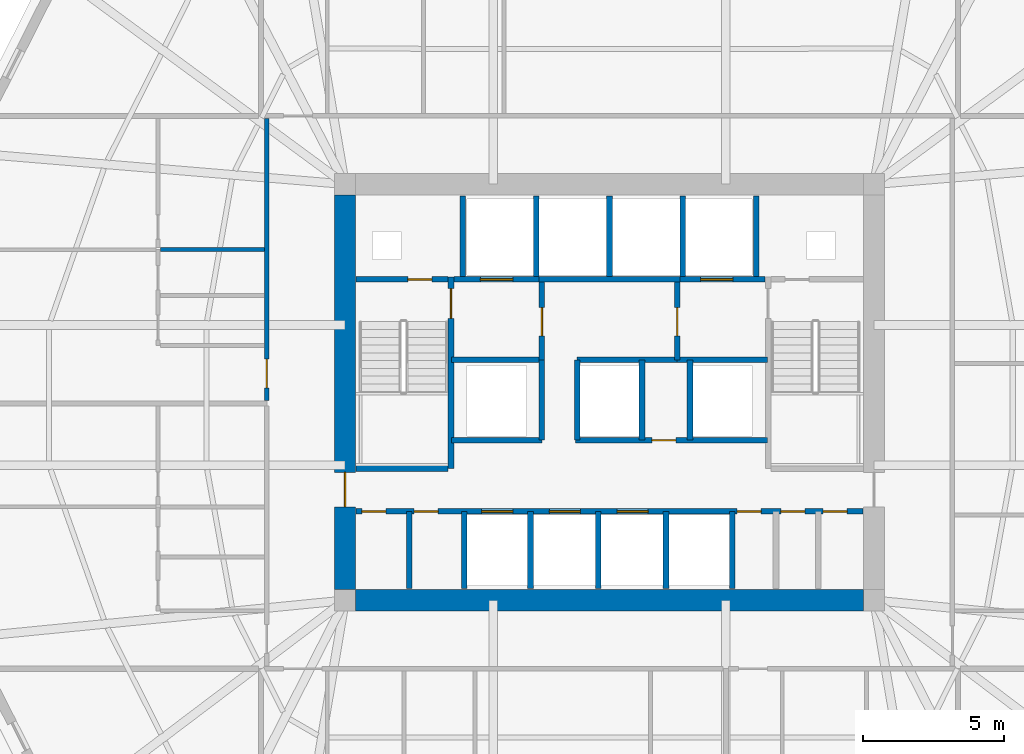
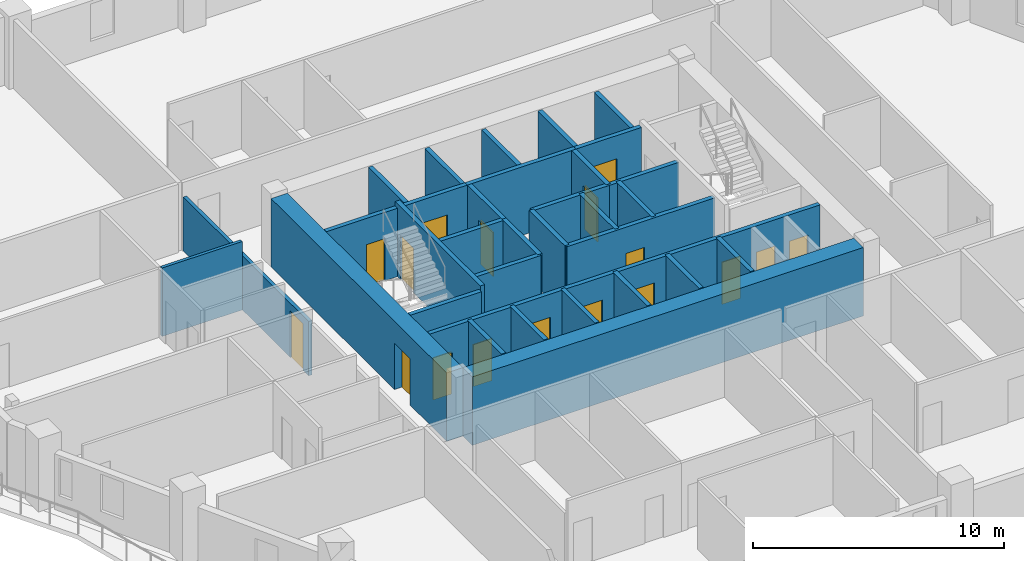
# One storey, part 5 of 11: 33 walls, 17 doors, 17 openings.
"""IFC4 building model written with IfcOpenShell, lengths in metres."""

from ifc_helpers import new_model, si_unit, direction, frame, frame_2d, origin, place, context, subcontext, project, spatial, rectangle, extrude, material, layer, layer_set, type_object, element, fill, save


model = new_model("IFC4")

# Units and contexts
model_context = context("Model", 3, precision=1e-05, world=origin(), true_north=direction((0.0, 1.0)))
body_context = subcontext(model_context, "Body", "Model", "MODEL_VIEW")
ifc_project = project(units=[si_unit("LENGTHUNIT", "METRE"), si_unit("AREAUNIT", "SQUARE_METRE"), si_unit("VOLUMEUNIT", "CUBIC_METRE"), si_unit("PLANEANGLEUNIT", "RADIAN"), si_unit("MASSUNIT", "GRAM", prefix="KILO")], contexts=[model_context])

# Site, building, storey
site_placement = place(None, origin())
site = spatial("IfcSite", under=ifc_project, at=site_placement, CompositionType="ELEMENT")
building_placement = place(site_placement, origin())
building = spatial("IfcBuilding", under=site, at=building_placement, Name="Cinnabar Lancet Tower", CompositionType="ELEMENT")
storey_placement = place(building_placement, frame((0.0, 0.0, 90.64990234375)))
storey = spatial("IfcBuildingStorey", under=building, at=storey_placement, Name="L23", CompositionType="ELEMENT", Elevation=90.64990234375)

# Wall, opening, door
ifc_material_1 = material(Name="Acoustic twin-stud gypsum partition", Category="gypsum")
ifc_layer_1 = layer(ifc_material_1, 0.159912109375)
ifc_layer_set_1 = layer_set([ifc_layer_1], Name="Acoustic twin-stud gypsum partition")
wall_type_1 = type_object("IfcWallType", Name="ARC-WL-CORR-160", PredefinedType="PARTITIONING", material=ifc_layer_set_1)
wall_1_placement = place(storey_placement, frame((20.25, 25.60302734375, 0.0), z_axis=(0.0, 0.0, 1.0), x_axis=(0.0, 1.0, 0.0)))
wall_1 = element("IfcWall", 1, at=wall_1_placement, inside=storey, type_object=wall_type_1, Name="UW-L23-W02-COR", PredefinedType="PARTITIONING", context=body_context, shape_type="SweptSolid", body=[
    extrude(rectangle(XDim=10.001953125, YDim=0.159912109375, at=frame_2d((5.0009765625, 0.0))), origin(), (0.0, 0.0, 1.0), 2.63720703125),
])
opening_1_placement = place(wall_1_placement, frame((0.449951171875, 0.0, 0.0)))
opening_1 = element("IfcOpeningElement", 2, at=opening_1_placement, cuts=wall_1, Name="Opening UD-01", PredefinedType="OPENING", context=body_context, shape_type="SweptSolid", body=[
    extrude(rectangle(XDim=1.02001953125, YDim=2.25, at=frame_2d((0.510009765625, 1.125))), frame((0.0, 0.08984375, 0.0), z_axis=(0.0, -1.0, 0.0), x_axis=(1.0, 0.0, 0.0)), (0.0, 0.0, 1.0), 0.179931640625),
])
ifc_material_2 = material(Name="Solid timber fire-rated apartment entrance door", Category="wood")
door_type_1 = type_object("IfcDoorType", Name="ARC-DR-UNIT", OperationType="NOTDEFINED", PredefinedType="DOOR", material=ifc_material_2)
door_1_placement = place(opening_1_placement, origin())
door_1 = element("IfcDoor", 3, at=door_1_placement, inside=storey, type_object=door_type_1, Name="DR-L23-W02-ENT", OperationType="SINGLE_SWING_RIGHT", OverallHeight=2.25, OverallWidth=1.02001953125, PredefinedType="DOOR", context=body_context, shape_type="SweptSolid", body=[
    extrude(rectangle(XDim=1.02001953125, YDim=2.25, at=frame_2d((0.510009765625, 1.125))), frame((0.0, 0.02490234375, 0.0), z_axis=(0.0, -1.0, 0.0), x_axis=(1.0, 0.0, 0.0)), (0.0, 0.0, 1.0), 0.050048828125),
])
fill(opening_1, door_1)

# Wall
ifc_material_3 = material(Name="Autoclaved aerated concrete blockwork", Category="masonry")
ifc_layer_2 = layer(ifc_material_3, 0.199951171875)
ifc_layer_set_2 = layer_set([ifc_layer_2], Name="Autoclaved aerated concrete blockwork")
wall_type_2 = type_object("IfcWallType", Name="ARC-WL-SHAFT-200", PredefinedType="PLUMBINGWALL", material=ifc_layer_set_2)
wall_2_placement = place(storey_placement, frame((23.405029296875, 23.199951171875, 0.0), z_axis=(0.0, 0.0, 1.0), x_axis=(1.0, 0.0, 0.0)))
element("IfcWall", 4, at=wall_2_placement, inside=storey, type_object=wall_type_2, Name="CW-ST1S-L23", PredefinedType="PLUMBINGWALL", context=body_context, shape_type="SweptSolid", body=[
    extrude(rectangle(XDim=3.27001953125, YDim=0.199951171875, at=frame_2d((1.635009765625, 0.0))), origin(), (0.0, 0.0, 1.0), 3.330078125),
])

# Wall, opening, door
wall_3_placement = place(storey_placement, frame((23.405029296875, 29.89990234375, 0.0), z_axis=(0.0, 0.0, 1.0), x_axis=(1.0, 0.0, 0.0)))
wall_3 = element("IfcWall", 5, at=wall_3_placement, inside=storey, type_object=wall_type_2, Name="CW-NSH-W-L23", PredefinedType="PLUMBINGWALL", context=body_context, shape_type="SweptSolid", body=[
    extrude(rectangle(XDim=3.27001953125, YDim=0.199951171875, at=frame_2d((1.635009765625, 0.0))), origin(), (0.0, 0.0, 1.0), 3.330078125),
])
opening_2_placement = place(wall_3_placement, frame((1.85009765625, 0.0, 0.0)))
opening_2 = element("IfcOpeningElement", 6, at=opening_2_placement, cuts=wall_3, Name="Opening PD-02", PredefinedType="OPENING", context=body_context, shape_type="SweptSolid", body=[
    extrude(rectangle(XDim=0.85009765625, YDim=2.050048828125, at=frame_2d((0.425048828125, 1.02490234375))), frame((0.0, 0.10986328125, 0.0), z_axis=(0.0, -1.0, 0.0), x_axis=(1.0, 0.0, 0.0)), (0.0, 0.0, 1.0), 0.219970703125),
])
ifc_material_4 = material(Name="Fire-rated steel riser access door", Category="steel")
door_type_2 = type_object("IfcDoorType", Name="ARC-DR-RISER", OperationType="NOTDEFINED", PredefinedType="DOOR", material=ifc_material_4)
door_2_placement = place(opening_2_placement, origin())
door_2 = element("IfcDoor", 7, at=door_2_placement, inside=storey, type_object=door_type_2, Name="L23 West Riser Access Door", OperationType="SINGLE_SWING_LEFT", OverallHeight=2.050048828125, OverallWidth=0.85009765625, PredefinedType="DOOR", context=body_context, shape_type="SweptSolid", body=[
    extrude(rectangle(XDim=0.85009765625, YDim=2.050048828125, at=frame_2d((0.425048828125, 1.02490234375))), frame((0.0, 0.02490234375, 0.0), z_axis=(0.0, -1.0, 0.0), x_axis=(1.0, 0.0, 0.0)), (0.0, 0.0, 1.0), 0.050048828125),
])
fill(opening_2, door_2)

wall_4_placement = place(storey_placement, frame((26.885009765625, 29.89990234375, 0.0), z_axis=(0.0, 0.0, 1.0), x_axis=(1.0, 0.0, 0.0)))
wall_4 = element("IfcWall", 8, at=wall_4_placement, inside=storey, type_object=wall_type_2, Name="CW-FL1-L23", PredefinedType="PLUMBINGWALL", context=body_context, shape_type="SweptSolid", body=[
    extrude(rectangle(XDim=3.014892578125, YDim=0.199951171875, at=frame_2d((1.50732421875, 0.0))), origin(), (0.0, 0.0, 1.0), 3.330078125),
])
opening_3_placement = place(wall_4_placement, frame((0.93994140625, 0.0, 0.0)))
opening_3 = element("IfcOpeningElement", 9, at=opening_3_placement, cuts=wall_4, Name="Opening LD-02", PredefinedType="OPENING", context=body_context, shape_type="SweptSolid", body=[
    extrude(rectangle(XDim=1.14990234375, YDim=2.199951171875, at=frame_2d((0.574951171875, 1.10009765625))), frame((0.0, 0.10986328125, 0.0), z_axis=(0.0, -1.0, 0.0), x_axis=(1.0, 0.0, 0.0)), (0.0, 0.0, 1.0), 0.219970703125),
])
ifc_material_5 = material(Name="Fire-rated stainless steel firefighting lift landing door", Category="steel")
door_type_3 = type_object("IfcDoorType", Name="ARC-DR-LD-FIRE", OperationType="NOTDEFINED", PredefinedType="DOOR", material=ifc_material_5)
door_3_placement = place(opening_3_placement, origin())
door_3 = element("IfcDoor", 10, at=door_3_placement, inside=storey, type_object=door_type_3, Name="L23 Firefighting Lift FL-1 Landing Door", OperationType="DOUBLE_DOOR_SLIDING", OverallHeight=2.199951171875, OverallWidth=1.14990234375, PredefinedType="DOOR", context=body_context, shape_type="SweptSolid", body=[
    extrude(rectangle(XDim=1.14990234375, YDim=2.199951171875, at=frame_2d((0.574951171875, 1.10009765625))), frame((0.0, 0.02490234375, 0.0), z_axis=(0.0, -1.0, 0.0), x_axis=(1.0, 0.0, 0.0)), (0.0, 0.0, 1.0), 0.050048828125),
])
fill(opening_3, door_3)

# Wall
wall_5_placement = place(storey_placement, frame((29.89990234375, 29.89990234375, 0.0), z_axis=(0.0, 0.0, 1.0), x_axis=(1.0, 0.0, 0.0)))
element("IfcWall", 11, at=wall_5_placement, inside=storey, type_object=wall_type_2, Name="CW-PL78-L23", PredefinedType="PLUMBINGWALL", context=body_context, shape_type="SweptSolid", body=[
    extrude(rectangle(XDim=5.0, YDim=0.199951171875, at=frame_2d((2.5, 0.0))), origin(), (0.0, 0.0, 1.0), 3.330078125),
])

# Wall, opening, door
wall_6_placement = place(storey_placement, frame((34.89990234375, 29.89990234375, 0.0), z_axis=(0.0, 0.0, 1.0), x_axis=(1.0, 0.0, 0.0)))
wall_6 = element("IfcWall", 12, at=wall_6_placement, inside=storey, type_object=wall_type_2, Name="CW-FL2-L23", PredefinedType="PLUMBINGWALL", context=body_context, shape_type="SweptSolid", body=[
    extrude(rectangle(XDim=3.01513671875, YDim=0.199951171875, at=frame_2d((1.507568359375, 0.0))), origin(), (0.0, 0.0, 1.0), 3.330078125),
])
opening_4_placement = place(wall_6_placement, frame((0.72509765625, 0.0, 0.0)))
opening_4 = element("IfcOpeningElement", 13, at=opening_4_placement, cuts=wall_6, Name="Opening LD-02", PredefinedType="OPENING", context=body_context, shape_type="SweptSolid", body=[
    extrude(rectangle(XDim=1.14990234375, YDim=2.199951171875, at=frame_2d((0.574951171875, 1.10009765625))), frame((0.0, 0.10986328125, 0.0), z_axis=(0.0, -1.0, 0.0), x_axis=(1.0, 0.0, 0.0)), (0.0, 0.0, 1.0), 0.219970703125),
])
door_4_placement = place(opening_4_placement, origin())
door_4 = element("IfcDoor", 14, at=door_4_placement, inside=storey, type_object=door_type_3, Name="L23 Firefighting Lift FL-2 Landing Door", OperationType="DOUBLE_DOOR_SLIDING", OverallHeight=2.199951171875, OverallWidth=1.14990234375, PredefinedType="DOOR", context=body_context, shape_type="SweptSolid", body=[
    extrude(rectangle(XDim=1.14990234375, YDim=2.199951171875, at=frame_2d((0.574951171875, 1.10009765625))), frame((0.0, 0.02490234375, 0.0), z_axis=(0.0, -1.0, 0.0), x_axis=(1.0, 0.0, 0.0)), (0.0, 0.0, 1.0), 0.050048828125),
])
fill(opening_4, door_4)

# Walls
for number, where, z_axis, x_axis, name in (
    (15, (27.199951171875, 30.0, 0.0), (0.0, 0.0, 1.0), (0.0, 1.0, 0.0), "CW-NSH-D1-L23"),
    (16, (29.800048828125, 30.0, 0.0), (0.0, 0.0, 1.0), (0.0, 1.0, 0.0), "CW-NSH-D2-L23"),
    (17, (32.39990234375, 30.0, 0.0), (0.0, 0.0, 1.0), (0.0, 1.0, 0.0), "CW-NSH-D3-L23"),
    (18, (35.0, 30.0, 0.0), (0.0, 0.0, 1.0), (0.0, 1.0, 0.0), "CW-NSH-D4-L23"),
    (19, (37.60009765625, 30.0, 0.0), (0.0, 0.0, 1.0), (0.0, 1.0, 0.0), "CW-NSH-D5-L23"),
):
    element("IfcWall", number, at=place(storey_placement, frame(where, z_axis=z_axis, x_axis=x_axis)), inside=storey, type_object=wall_type_2, Name=name, PredefinedType="PLUMBINGWALL", context=body_context, shape_type="SweptSolid", body=[
        extrude(rectangle(XDim=2.85009765625, YDim=0.199951171875, at=frame_2d((1.425048828125, 0.0))), origin(), (0.0, 0.0, 1.0), 3.330078125),
    ])

# Wall, opening, door
wall_7_placement = place(storey_placement, frame((30.0, 27.050048828125, 0.0), z_axis=(0.0, 0.0, 1.0), x_axis=(0.0, 1.0, 0.0)))
wall_7 = element("IfcWall", 20, at=wall_7_placement, inside=storey, type_object=wall_type_2, Name="CW-FF1E-L23", PredefinedType="PLUMBINGWALL", context=body_context, shape_type="SweptSolid", body=[
    extrude(rectangle(XDim=2.75, YDim=0.199951171875, at=frame_2d((1.375, 0.0))), origin(), (0.0, 0.0, 1.0), 3.330078125),
])
opening_5_placement = place(wall_7_placement, frame((0.85009765625, 0.0, 0.0)))
opening_5 = element("IfcOpeningElement", 21, at=opening_5_placement, cuts=wall_7, Name="Opening FD-01", PredefinedType="OPENING", context=body_context, shape_type="SweptSolid", body=[
    extrude(rectangle(XDim=1.0, YDim=2.14990234375, at=frame_2d((0.5, 1.074951171875))), frame((0.0, 0.10986328125, 0.0), z_axis=(0.0, -1.0, 0.0), x_axis=(1.0, 0.0, 0.0)), (0.0, 0.0, 1.0), 0.219970703125),
])
ifc_material_6 = material(Name="Fire-rated timber-core lobby door", Category="wood")
door_type_4 = type_object("IfcDoorType", Name="ARC-DR-FFAL", OperationType="NOTDEFINED", PredefinedType="DOOR", material=ifc_material_6)
door_5_placement = place(opening_5_placement, origin())
door_5 = element("IfcDoor", 22, at=door_5_placement, inside=storey, type_object=door_type_4, Name="L23 FFAL-1 Lobby Fire Door", OperationType="SINGLE_SWING_RIGHT", OverallHeight=2.14990234375, OverallWidth=1.0, PredefinedType="DOOR", context=body_context, shape_type="SweptSolid", body=[
    extrude(rectangle(XDim=1.0, YDim=2.14990234375, at=frame_2d((0.5, 1.074951171875))), frame((0.0, 0.02490234375, 0.0), z_axis=(0.0, -1.0, 0.0), x_axis=(1.0, 0.0, 0.0)), (0.0, 0.0, 1.0), 0.050048828125),
])
fill(opening_5, door_5)

# Wall
wall_8_placement = place(storey_placement, frame((26.800048828125, 27.050048828125, 0.0), z_axis=(0.0, 0.0, 1.0), x_axis=(1.0, 0.0, 0.0)))
element("IfcWall", 23, at=wall_8_placement, inside=storey, type_object=wall_type_2, Name="CW-FF1S-L23", PredefinedType="PLUMBINGWALL", context=body_context, shape_type="SweptSolid", body=[
    extrude(rectangle(XDim=3.199951171875, YDim=0.199951171875, at=frame_2d((1.60009765625, 0.0))), origin(), (0.0, 0.0, 1.0), 3.330078125),
])

# Wall, opening, door
wall_9_placement = place(storey_placement, frame((34.800048828125, 27.050048828125, 0.0), z_axis=(0.0, 0.0, 1.0), x_axis=(0.0, 1.0, 0.0)))
wall_9 = element("IfcWall", 24, at=wall_9_placement, inside=storey, type_object=wall_type_2, Name="CW-FF2W-L23", PredefinedType="PLUMBINGWALL", context=body_context, shape_type="SweptSolid", body=[
    extrude(rectangle(XDim=2.75, YDim=0.199951171875, at=frame_2d((1.375, 0.0))), origin(), (0.0, 0.0, 1.0), 3.330078125),
])
opening_6_placement = place(wall_9_placement, frame((0.85009765625, 0.0, 0.0)))
opening_6 = element("IfcOpeningElement", 25, at=opening_6_placement, cuts=wall_9, Name="Opening FD-01", PredefinedType="OPENING", context=body_context, shape_type="SweptSolid", body=[
    extrude(rectangle(XDim=1.0, YDim=2.14990234375, at=frame_2d((0.5, 1.074951171875))), frame((0.0, 0.10986328125, 0.0), z_axis=(0.0, -1.0, 0.0), x_axis=(1.0, 0.0, 0.0)), (0.0, 0.0, 1.0), 0.219970703125),
])
door_6_placement = place(opening_6_placement, origin())
door_6 = element("IfcDoor", 26, at=door_6_placement, inside=storey, type_object=door_type_4, Name="L23 FFAL-2 Lobby Fire Door", OperationType="SINGLE_SWING_LEFT", OverallHeight=2.14990234375, OverallWidth=1.0, PredefinedType="DOOR", context=body_context, shape_type="SweptSolid", body=[
    extrude(rectangle(XDim=1.0, YDim=2.14990234375, at=frame_2d((0.5, 1.074951171875))), frame((0.0, 0.02490234375, 0.0), z_axis=(0.0, -1.0, 0.0), x_axis=(1.0, 0.0, 0.0)), (0.0, 0.0, 1.0), 0.050048828125),
])
fill(opening_6, door_6)

# Walls
for number, where, z_axis, x_axis, name in (
    (27, (34.800048828125, 27.050048828125, 0.0), (0.0, 0.0, 1.0), (1.0, 0.0, 0.0), "CW-FF2S-L23"),
    (28, (26.800048828125, 24.199951171875, 0.0), (0.0, 0.0, 1.0), (1.0, 0.0, 0.0), "CW-PL5S-L23"),
):
    element("IfcWall", number, at=place(storey_placement, frame(where, z_axis=z_axis, x_axis=x_axis)), inside=storey, type_object=wall_type_2, Name=name, PredefinedType="PLUMBINGWALL", context=body_context, shape_type="SweptSolid", body=[
        extrude(rectangle(XDim=3.199951171875, YDim=0.199951171875, at=frame_2d((1.60009765625, 0.0))), origin(), (0.0, 0.0, 1.0), 3.330078125),
    ])
wall_10_placement = place(storey_placement, frame((30.0, 24.199951171875, 0.0), z_axis=(0.0, 0.0, 1.0), x_axis=(0.0, 1.0, 0.0)))
element("IfcWall", 29, at=wall_10_placement, inside=storey, type_object=wall_type_2, Name="CW-PL5E-L23", PredefinedType="PLUMBINGWALL", context=body_context, shape_type="SweptSolid", body=[
    extrude(rectangle(XDim=2.85009765625, YDim=0.199951171875, at=frame_2d((1.425048828125, 0.0))), origin(), (0.0, 0.0, 1.0), 3.330078125),
])

# Wall, opening, door
wall_11_placement = place(storey_placement, frame((31.199951171875, 24.199951171875, 0.0), z_axis=(0.0, 0.0, 1.0), x_axis=(1.0, 0.0, 0.0)))
wall_11 = element("IfcWall", 30, at=wall_11_placement, inside=storey, type_object=wall_type_2, Name="CW-PL96S-L23", PredefinedType="PLUMBINGWALL", context=body_context, shape_type="SweptSolid", body=[
    extrude(rectangle(XDim=6.800048828125, YDim=0.199951171875, at=frame_2d((3.39990234375, 0.0))), origin(), (0.0, 0.0, 1.0), 3.330078125),
])
opening_7_placement = place(wall_11_placement, frame((2.699951171875, 0.0, 0.0)))
opening_7 = element("IfcOpeningElement", 31, at=opening_7_placement, cuts=wall_11, Name="Opening PD-02", PredefinedType="OPENING", context=body_context, shape_type="SweptSolid", body=[
    extrude(rectangle(XDim=0.85009765625, YDim=2.050048828125, at=frame_2d((0.425048828125, 1.02490234375))), frame((0.0, 0.10986328125, 0.0), z_axis=(0.0, -1.0, 0.0), x_axis=(1.0, 0.0, 0.0)), (0.0, 0.0, 1.0), 0.219970703125),
])
door_7_placement = place(opening_7_placement, origin())
door_7 = element("IfcDoor", 32, at=door_7_placement, inside=storey, type_object=door_type_2, Name="L23 BMS Closet Door", OperationType="SINGLE_SWING_LEFT", OverallHeight=2.050048828125, OverallWidth=0.85009765625, PredefinedType="DOOR", context=body_context, shape_type="SweptSolid", body=[
    extrude(rectangle(XDim=0.85009765625, YDim=2.050048828125, at=frame_2d((0.425048828125, 1.02490234375))), frame((0.0, 0.02490234375, 0.0), z_axis=(0.0, -1.0, 0.0), x_axis=(1.0, 0.0, 0.0)), (0.0, 0.0, 1.0), 0.050048828125),
])
fill(opening_7, door_7)

# Walls
for number, where, z_axis, x_axis, name in (
    (33, (31.25, 24.199951171875, 0.0), (0.0, 0.0, 1.0), (0.0, 1.0, 0.0), "CW-PL9W-L23"),
    (34, (33.550048828125, 24.199951171875, 0.0), (0.0, 0.0, 1.0), (0.0, 1.0, 0.0), "CW-PL9E-L23"),
    (35, (35.25, 24.199951171875, 0.0), (0.0, 0.0, 1.0), (0.0, 1.0, 0.0), "CW-PL6W-L23"),
):
    element("IfcWall", number, at=place(storey_placement, frame(where, z_axis=z_axis, x_axis=x_axis)), inside=storey, type_object=wall_type_2, Name=name, PredefinedType="PLUMBINGWALL", context=body_context, shape_type="SweptSolid", body=[
        extrude(rectangle(XDim=2.85009765625, YDim=0.199951171875, at=frame_2d((1.425048828125, 0.0))), origin(), (0.0, 0.0, 1.0), 3.330078125),
    ])
wall_12_placement = place(storey_placement, frame((31.25, 27.050048828125, 0.0), z_axis=(0.0, 0.0, 1.0), x_axis=(1.0, 0.0, 0.0)))
element("IfcWall", 36, at=wall_12_placement, inside=storey, type_object=wall_type_2, Name="CW-PL96N-L23", PredefinedType="PLUMBINGWALL", context=body_context, shape_type="SweptSolid", body=[
    extrude(rectangle(XDim=3.550048828125, YDim=0.199951171875, at=frame_2d((1.77490234375, 0.0))), origin(), (0.0, 0.0, 1.0), 3.330078125),
])

# Wall, openings, doors
wall_13_placement = place(storey_placement, frame((23.419921875, 21.679931640625, 0.0), z_axis=(0.0, 0.0, 1.0), x_axis=(1.0, 0.0, 0.0)))
wall_13 = element("IfcWall", 37, at=wall_13_placement, inside=storey, type_object=wall_type_2, Name="CW-SBANDN-L23", PredefinedType="PLUMBINGWALL", context=body_context, shape_type="SweptSolid", body=[
    extrude(rectangle(XDim=17.9599609375, YDim=0.199951171875, at=frame_2d((8.97998046875, 0.0))), origin(), (0.0, 0.0, 1.0), 3.330078125),
])
opening_8_placement = place(wall_13_placement, frame((4.449951171875, 0.0, 0.0)))
opening_8 = element("IfcOpeningElement", 38, at=opening_8_placement, cuts=wall_13, Name="Opening LD-01", PredefinedType="OPENING", context=body_context, shape_type="SweptSolid", body=[
    extrude(rectangle(XDim=1.10009765625, YDim=2.199951171875, at=frame_2d((0.550048828125, 1.10009765625))), frame((0.0, 0.10986328125, 0.0), z_axis=(0.0, -1.0, 0.0), x_axis=(1.0, 0.0, 0.0)), (0.0, 0.0, 1.0), 0.219970703125),
])
opening_9_placement = place(wall_13_placement, frame((6.85009765625, 0.0, 0.0)))
opening_9 = element("IfcOpeningElement", 39, at=opening_9_placement, cuts=wall_13, Name="Opening LD-01", PredefinedType="OPENING", context=body_context, shape_type="SweptSolid", body=[
    extrude(rectangle(XDim=1.10009765625, YDim=2.199951171875, at=frame_2d((0.550048828125, 1.10009765625))), frame((0.0, 0.10986328125, 0.0), z_axis=(0.0, -1.0, 0.0), x_axis=(1.0, 0.0, 0.0)), (0.0, 0.0, 1.0), 0.219970703125),
])
opening_10_placement = place(wall_13_placement, frame((9.25, 0.0, 0.0)))
opening_10 = element("IfcOpeningElement", 40, at=opening_10_placement, cuts=wall_13, Name="Opening LD-01", PredefinedType="OPENING", context=body_context, shape_type="SweptSolid", body=[
    extrude(rectangle(XDim=1.10009765625, YDim=2.199951171875, at=frame_2d((0.550048828125, 1.10009765625))), frame((0.0, 0.10986328125, 0.0), z_axis=(0.0, -1.0, 0.0), x_axis=(1.0, 0.0, 0.0)), (0.0, 0.0, 1.0), 0.219970703125),
])
opening_11_placement = place(wall_13_placement, frame((0.199951171875, 0.0, 0.0)))
opening_11 = element("IfcOpeningElement", 41, at=opening_11_placement, cuts=wall_13, Name="Opening PD-02", PredefinedType="OPENING", context=body_context, shape_type="SweptSolid", body=[
    extrude(rectangle(XDim=0.85009765625, YDim=2.050048828125, at=frame_2d((0.425048828125, 1.02490234375))), frame((0.0, 0.10986328125, 0.0), z_axis=(0.0, -1.0, 0.0), x_axis=(1.0, 0.0, 0.0)), (0.0, 0.0, 1.0), 0.219970703125),
])
opening_12_placement = place(wall_13_placement, frame((2.050048828125, 0.0, 0.0)))
opening_12 = element("IfcOpeningElement", 42, at=opening_12_placement, cuts=wall_13, Name="Opening PD-02", PredefinedType="OPENING", context=body_context, shape_type="SweptSolid", body=[
    extrude(rectangle(XDim=0.85009765625, YDim=2.050048828125, at=frame_2d((0.425048828125, 1.02490234375))), frame((0.0, 0.10986328125, 0.0), z_axis=(0.0, -1.0, 0.0), x_axis=(1.0, 0.0, 0.0)), (0.0, 0.0, 1.0), 0.219970703125),
])
opening_13_placement = place(wall_13_placement, frame((13.5, 0.0, 0.0)))
opening_13 = element("IfcOpeningElement", 43, at=opening_13_placement, cuts=wall_13, Name="Opening PD-02", PredefinedType="OPENING", context=body_context, shape_type="SweptSolid", body=[
    extrude(rectangle(XDim=0.85009765625, YDim=2.050048828125, at=frame_2d((0.425048828125, 1.02490234375))), frame((0.0, 0.10986328125, 0.0), z_axis=(0.0, -1.0, 0.0), x_axis=(1.0, 0.0, 0.0)), (0.0, 0.0, 1.0), 0.219970703125),
])
opening_14_placement = place(wall_13_placement, frame((15.050048828125, 0.0, 0.0)))
opening_14 = element("IfcOpeningElement", 44, at=opening_14_placement, cuts=wall_13, Name="Opening PD-02", PredefinedType="OPENING", context=body_context, shape_type="SweptSolid", body=[
    extrude(rectangle(XDim=0.85009765625, YDim=2.050048828125, at=frame_2d((0.425048828125, 1.02490234375))), frame((0.0, 0.10986328125, 0.0), z_axis=(0.0, -1.0, 0.0), x_axis=(1.0, 0.0, 0.0)), (0.0, 0.0, 1.0), 0.219970703125),
])
opening_15_placement = place(wall_13_placement, frame((16.550048828125, 0.0, 0.0)))
opening_15 = element("IfcOpeningElement", 45, at=opening_15_placement, cuts=wall_13, Name="Opening PD-02", PredefinedType="OPENING", context=body_context, shape_type="SweptSolid", body=[
    extrude(rectangle(XDim=0.85009765625, YDim=2.050048828125, at=frame_2d((0.425048828125, 1.02490234375))), frame((0.0, 0.10986328125, 0.0), z_axis=(0.0, -1.0, 0.0), x_axis=(1.0, 0.0, 0.0)), (0.0, 0.0, 1.0), 0.219970703125),
])
ifc_material_7 = material(Name="Brushed stainless steel sliding lift door", Category="steel")
door_type_5 = type_object("IfcDoorType", Name="ARC-DR-LD-PASS", OperationType="NOTDEFINED", PredefinedType="DOOR", material=ifc_material_7)
door_8_placement = place(opening_8_placement, origin())
door_8 = element("IfcDoor", 46, at=door_8_placement, inside=storey, type_object=door_type_5, Name="L23 Lift PL-1 Landing Door", OperationType="DOUBLE_DOOR_SLIDING", OverallHeight=2.199951171875, OverallWidth=1.10009765625, PredefinedType="DOOR", context=body_context, shape_type="SweptSolid", body=[
    extrude(rectangle(XDim=1.10009765625, YDim=2.199951171875, at=frame_2d((0.550048828125, 1.10009765625))), frame((0.0, 0.02490234375, 0.0), z_axis=(0.0, -1.0, 0.0), x_axis=(1.0, 0.0, 0.0)), (0.0, 0.0, 1.0), 0.050048828125),
])
fill(opening_8, door_8)
door_9_placement = place(opening_9_placement, origin())
door_9 = element("IfcDoor", 47, at=door_9_placement, inside=storey, type_object=door_type_5, Name="L23 Lift PL-2 Landing Door", OperationType="DOUBLE_DOOR_SLIDING", OverallHeight=2.199951171875, OverallWidth=1.10009765625, PredefinedType="DOOR", context=body_context, shape_type="SweptSolid", body=[
    extrude(rectangle(XDim=1.10009765625, YDim=2.199951171875, at=frame_2d((0.550048828125, 1.10009765625))), frame((0.0, 0.02490234375, 0.0), z_axis=(0.0, -1.0, 0.0), x_axis=(1.0, 0.0, 0.0)), (0.0, 0.0, 1.0), 0.050048828125),
])
fill(opening_9, door_9)
door_10_placement = place(opening_10_placement, origin())
door_10 = element("IfcDoor", 48, at=door_10_placement, inside=storey, type_object=door_type_5, Name="L23 Lift PL-3 Landing Door", OperationType="DOUBLE_DOOR_SLIDING", OverallHeight=2.199951171875, OverallWidth=1.10009765625, PredefinedType="DOOR", context=body_context, shape_type="SweptSolid", body=[
    extrude(rectangle(XDim=1.10009765625, YDim=2.199951171875, at=frame_2d((0.550048828125, 1.10009765625))), frame((0.0, 0.02490234375, 0.0), z_axis=(0.0, -1.0, 0.0), x_axis=(1.0, 0.0, 0.0)), (0.0, 0.0, 1.0), 0.050048828125),
])
fill(opening_10, door_10)
door_11_placement = place(opening_11_placement, origin())
door_11 = element("IfcDoor", 49, at=door_11_placement, inside=storey, type_object=door_type_2, Name="DR-L23-SC2-1", OperationType="SINGLE_SWING_LEFT", OverallHeight=2.050048828125, OverallWidth=0.85009765625, PredefinedType="DOOR", context=body_context, shape_type="SweptSolid", body=[
    extrude(rectangle(XDim=0.85009765625, YDim=2.050048828125, at=frame_2d((0.425048828125, 1.02490234375))), frame((0.0, 0.02490234375, 0.0), z_axis=(0.0, -1.0, 0.0), x_axis=(1.0, 0.0, 0.0)), (0.0, 0.0, 1.0), 0.050048828125),
])
fill(opening_11, door_11)
door_12_placement = place(opening_12_placement, origin())
door_12 = element("IfcDoor", 50, at=door_12_placement, inside=storey, type_object=door_type_2, Name="DR-L23-SC2-2", OperationType="SINGLE_SWING_RIGHT", OverallHeight=2.050048828125, OverallWidth=0.85009765625, PredefinedType="DOOR", context=body_context, shape_type="SweptSolid", body=[
    extrude(rectangle(XDim=0.85009765625, YDim=2.050048828125, at=frame_2d((0.425048828125, 1.02490234375))), frame((0.0, 0.02490234375, 0.0), z_axis=(0.0, -1.0, 0.0), x_axis=(1.0, 0.0, 0.0)), (0.0, 0.0, 1.0), 0.050048828125),
])
fill(opening_12, door_12)
door_13_placement = place(opening_13_placement, origin())
door_13 = element("IfcDoor", 51, at=door_13_placement, inside=storey, type_object=door_type_2, Name="DR-L23-SC2-3", OperationType="SINGLE_SWING_LEFT", OverallHeight=2.050048828125, OverallWidth=0.85009765625, PredefinedType="DOOR", context=body_context, shape_type="SweptSolid", body=[
    extrude(rectangle(XDim=0.85009765625, YDim=2.050048828125, at=frame_2d((0.425048828125, 1.02490234375))), frame((0.0, 0.02490234375, 0.0), z_axis=(0.0, -1.0, 0.0), x_axis=(1.0, 0.0, 0.0)), (0.0, 0.0, 1.0), 0.050048828125),
])
fill(opening_13, door_13)
door_14_placement = place(opening_14_placement, origin())
door_14 = element("IfcDoor", 52, at=door_14_placement, inside=storey, type_object=door_type_2, Name="DR-L23-SC2-4", OperationType="SINGLE_SWING_RIGHT", OverallHeight=2.050048828125, OverallWidth=0.85009765625, PredefinedType="DOOR", context=body_context, shape_type="SweptSolid", body=[
    extrude(rectangle(XDim=0.85009765625, YDim=2.050048828125, at=frame_2d((0.425048828125, 1.02490234375))), frame((0.0, 0.02490234375, 0.0), z_axis=(0.0, -1.0, 0.0), x_axis=(1.0, 0.0, 0.0)), (0.0, 0.0, 1.0), 0.050048828125),
])
fill(opening_14, door_14)
door_15_placement = place(opening_15_placement, origin())
door_15 = element("IfcDoor", 53, at=door_15_placement, inside=storey, type_object=door_type_2, Name="DR-L23-SC2-5", OperationType="SINGLE_SWING_LEFT", OverallHeight=2.050048828125, OverallWidth=0.85009765625, PredefinedType="DOOR", context=body_context, shape_type="SweptSolid", body=[
    extrude(rectangle(XDim=0.85009765625, YDim=2.050048828125, at=frame_2d((0.425048828125, 1.02490234375))), frame((0.0, 0.02490234375, 0.0), z_axis=(0.0, -1.0, 0.0), x_axis=(1.0, 0.0, 0.0)), (0.0, 0.0, 1.0), 0.050048828125),
])
fill(opening_15, door_15)

# Walls
for number, where, z_axis, x_axis, name in (
    (54, (27.25, 18.949951171875, 0.0), (0.0, 0.0, 1.0), (0.0, 1.0, 0.0), "CW-SB-2725-L23"),
    (55, (29.60009765625, 18.949951171875, 0.0), (0.0, 0.0, 1.0), (0.0, 1.0, 0.0), "CW-SB-2960-L23"),
    (56, (32.0, 18.949951171875, 0.0), (0.0, 0.0, 1.0), (0.0, 1.0, 0.0), "CW-SB-3200-L23"),
    (57, (34.39990234375, 18.949951171875, 0.0), (0.0, 0.0, 1.0), (0.0, 1.0, 0.0), "CW-SB-3440-L23"),
    (58, (36.75, 18.949951171875, 0.0), (0.0, 0.0, 1.0), (0.0, 1.0, 0.0), "CW-SB-3675-L23"),
    (59, (25.300048828125, 18.949951171875, 0.0), (0.0, 0.0, 1.0), (0.0, 1.0, 0.0), "CW-SBC2-253-L23"),
):
    element("IfcWall", number, at=place(storey_placement, frame(where, z_axis=z_axis, x_axis=x_axis)), inside=storey, type_object=wall_type_2, Name=name, PredefinedType="PLUMBINGWALL", context=body_context, shape_type="SweptSolid", body=[
        extrude(rectangle(XDim=2.72998046875, YDim=0.199951171875, at=frame_2d((1.364990234375, 0.0))), origin(), (0.0, 0.0, 1.0), 3.330078125),
    ])
ifc_material_8 = material(Name="Moisture-resistant cement-board plumbing wall", Category="masonry")
ifc_layer_3 = layer(ifc_material_8, 0.139892578125)
ifc_layer_set_3 = layer_set([ifc_layer_3], Name="Moisture-resistant cement-board plumbing wall")
wall_type_3 = type_object("IfcWallType", Name="ARC-WL-WET-140", PredefinedType="PLUMBINGWALL", material=ifc_layer_set_3)
wall_14_placement = place(storey_placement, frame((16.485107421875, 30.9580078125, 0.0), z_axis=(0.0, 0.0, 1.0), x_axis=(1.0, 0.0, 0.0)))
element("IfcWall", 60, at=wall_14_placement, inside=storey, type_object=wall_type_3, Name="UW-L23-W02-ENSN", PredefinedType="PLUMBINGWALL", context=body_context, shape_type="SweptSolid", body=[
    extrude(rectangle(XDim=3.679931640625, YDim=0.139892578125, at=frame_2d((1.83984375, 0.0))), origin(), (0.0, 0.0, 1.0), 3.330078125),
])
ifc_material_9 = material(Name="Concrete C70/85", Category="concrete")
ifc_layer_4 = layer(ifc_material_9, 0.75)
ifc_layer_set_4 = layer_set([ifc_layer_4], Name="Concrete C70/85")
wall_type_4 = type_object("IfcWallType", Name="STR-WL-CORE-750", PredefinedType="SHEAR", material=ifc_layer_set_4)
wall_15_placement = place(storey_placement, frame((23.39990234375, 18.52490234375, 0.0), z_axis=(0.0, 0.0, 1.0), x_axis=(1.0, 0.0, 0.0)))
element("IfcWall", 61, at=wall_15_placement, inside=storey, type_object=wall_type_4, Name="L23 Core Shear Wall S", PredefinedType="SHEAR", context=body_context, shape_type="SweptSolid", body=[
    extrude(rectangle(XDim=18.0, YDim=0.75, at=frame_2d((9.0, 0.0))), origin(), (0.0, 0.0, 1.0), 3.330078125),
])

# Wall, opening, door
wall_16_placement = place(storey_placement, frame((23.02490234375, 18.89990234375, 0.0), z_axis=(0.0, 0.0, 1.0), x_axis=(0.0, 1.0, 0.0)))
wall_16 = element("IfcWall", 62, at=wall_16_placement, inside=storey, type_object=wall_type_4, Name="L23 Core Shear Wall W", PredefinedType="SHEAR", context=body_context, shape_type="SweptSolid", body=[
    extrude(rectangle(XDim=14.0, YDim=0.75, at=frame_2d((7.0, 0.0))), origin(), (0.0, 0.0, 1.0), 3.330078125),
])
opening_16_placement = place(wall_16_placement, frame((2.93994140625, 0.0, 0.0)))
opening_16 = element("IfcOpeningElement", 63, at=opening_16_placement, cuts=wall_16, Name="Opening FD-02", PredefinedType="OPENING", context=body_context, shape_type="SweptSolid", body=[
    extrude(rectangle(XDim=1.219970703125, YDim=2.25, at=frame_2d((0.60986328125, 1.125))), frame((0.0, 0.385009765625, 0.0), z_axis=(0.0, -1.0, 0.0), x_axis=(1.0, 0.0, 0.0)), (0.0, 0.0, 1.0), 0.77001953125),
])
ifc_material_10 = material(Name="Fire-rated double-vision core portal door", Category="wood")
door_type_6 = type_object("IfcDoorType", Name="ARC-DR-CPORT", OperationType="NOTDEFINED", PredefinedType="DOOR", material=ifc_material_10)
door_16_placement = place(opening_16_placement, origin())
door_16 = element("IfcDoor", 64, at=door_16_placement, inside=storey, type_object=door_type_6, Name="L23 West Core Lobby Fire Door", OperationType="SINGLE_SWING_RIGHT", OverallHeight=2.25, OverallWidth=1.219970703125, PredefinedType="DOOR", context=body_context, shape_type="SweptSolid", body=[
    extrude(rectangle(XDim=1.219970703125, YDim=2.25, at=frame_2d((0.60986328125, 1.125))), frame((0.0, 0.02490234375, 0.0), z_axis=(0.0, -1.0, 0.0), x_axis=(1.0, 0.0, 0.0)), (0.0, 0.0, 1.0), 0.050048828125),
])
fill(opening_16, door_16)

ifc_material_11 = material(Name="Concrete C50/60", Category="concrete")
ifc_layer_5 = layer(ifc_material_11, 0.199951171875)
ifc_layer_set_5 = layer_set([ifc_layer_5], Name="Concrete C50/60")
wall_type_5 = type_object("IfcWallType", Name="STR-WL-STAIR-200", PredefinedType="SHEAR", material=ifc_layer_set_5)
wall_17_placement = place(storey_placement, frame((26.780029296875, 23.199951171875, 0.0), z_axis=(0.0, 0.0, 1.0), x_axis=(0.0, 1.0, 0.0)))
wall_17 = element("IfcWall", 65, at=wall_17_placement, inside=storey, type_object=wall_type_5, Name="L23 Stair ST-1 Structural Enclosure Wall", PredefinedType="SHEAR", context=body_context, shape_type="SweptSolid", body=[
    extrude(rectangle(XDim=6.780029296875, YDim=0.199951171875, at=frame_2d((3.39013671875, 0.0))), origin(), (0.0, 0.0, 1.0), 3.550048828125),
])
opening_17_placement = place(wall_17_placement, frame((5.320068359375, 0.0, 0.0)))
opening_17 = element("IfcOpeningElement", 66, at=opening_17_placement, cuts=wall_17, Name="Opening SD-01", PredefinedType="OPENING", context=body_context, shape_type="SweptSolid", body=[
    extrude(rectangle(XDim=1.050048828125, YDim=2.14990234375, at=frame_2d((0.52490234375, 1.074951171875))), frame((0.0, 0.10986328125, 0.0), z_axis=(0.0, -1.0, 0.0), x_axis=(1.0, 0.0, 0.0)), (0.0, 0.0, 1.0), 0.219970703125),
])
ifc_material_12 = material(Name="Fire-rated steel stair exit door", Category="steel")
door_type_7 = type_object("IfcDoorType", Name="ARC-DR-STAIR", OperationType="NOTDEFINED", PredefinedType="DOOR", material=ifc_material_12)
door_17_placement = place(opening_17_placement, origin())
door_17 = element("IfcDoor", 67, at=door_17_placement, inside=storey, type_object=door_type_7, Name="L23 Stair ST-1 Fire Door", OperationType="SINGLE_SWING_LEFT", OverallHeight=2.14990234375, OverallWidth=1.050048828125, PredefinedType="DOOR", context=body_context, shape_type="SweptSolid", body=[
    extrude(rectangle(XDim=1.050048828125, YDim=2.14990234375, at=frame_2d((0.52490234375, 1.074951171875))), frame((0.0, 0.02490234375, 0.0), z_axis=(0.0, -1.0, 0.0), x_axis=(1.0, 0.0, 0.0)), (0.0, 0.0, 1.0), 0.050048828125),
])
fill(opening_17, door_17)

save(model, "model.ifc")
